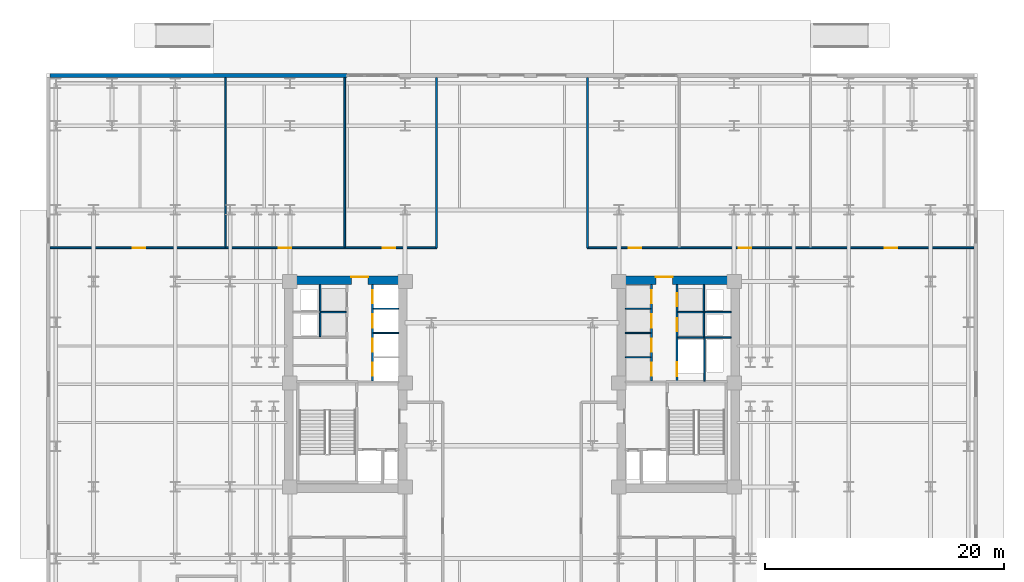
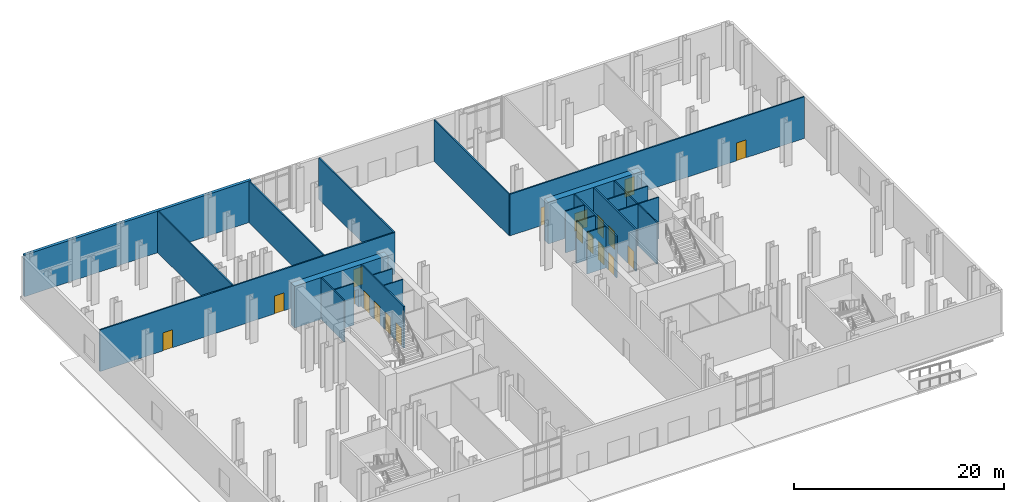
# One storey, part 13 of 21: 24 walls, 19 doors, 19 openings.
"""IFC4 building model written with IfcOpenShell, lengths in metres."""

from ifc_helpers import new_model, si_unit, direction, frame, frame_2d, origin, place, context, subcontext, project, spatial, rectangle, extrude, material, layer, layer_set, type_object, element, fill, save


model = new_model("IFC4")

# Units and contexts
model_context = context("Model", 3, precision=1e-05, world=origin(), true_north=direction((0.0, 1.0)))
body_context = subcontext(model_context, "Body", "Model", "MODEL_VIEW")
ifc_project = project(units=[si_unit("LENGTHUNIT", "METRE"), si_unit("AREAUNIT", "SQUARE_METRE"), si_unit("VOLUMEUNIT", "CUBIC_METRE"), si_unit("PLANEANGLEUNIT", "RADIAN"), si_unit("MASSUNIT", "GRAM", prefix="KILO")], contexts=[model_context])

# Site, building, storey
site_placement = place(None, origin())
site = spatial("IfcSite", under=ifc_project, at=site_placement, CompositionType="ELEMENT")
building_placement = place(site_placement, origin())
building = spatial("IfcBuilding", under=site, at=building_placement, Name="Velakula Bourse", CompositionType="ELEMENT")
storey_placement = place(building_placement, origin())
storey = spatial("IfcBuildingStorey", under=building, at=storey_placement, Name="L00", CompositionType="ELEMENT", Elevation=0.0)

# Wall, opening, door
ifc_material_1 = material(Name="Concrete M70 (fck 70 MPa)", Category="concrete")
ifc_layer_1 = layer(ifc_material_1, 0.699951171875, Name="Concrete M70 (fck 70 MPa)", Category="concrete")
ifc_layer_set_1 = layer_set([ifc_layer_1], Name="Concrete M70 (fck 70 MPa)")
wall_type_1 = type_object("IfcWallType", Name="WL-CORE-700", PredefinedType="SHEAR", material=ifc_layer_set_1)
wall_1_placement = place(storey_placement, frame((-19.050048828125, 8.699951171875, 0.0), z_axis=(0.0, 0.0, 1.0), x_axis=(1.0, 0.0, 0.0)))
wall_1 = element("IfcWall", 1, at=wall_1_placement, inside=storey, type_object=wall_type_1, Name="L00 Core W Shear Wall N", PredefinedType="SHEAR", context=body_context, shape_type="SweptSolid", body=[
    extrude(rectangle(XDim=10.25, YDim=0.699951171875, at=frame_2d((5.125, 0.0))), origin(), (0.0, 0.0, 1.0), 4.85009765625),
])
opening_1_placement = place(wall_1_placement, frame((5.60009765625, 0.0, 0.0)))
opening_1 = element("IfcOpeningElement", 2, at=opening_1_placement, cuts=wall_1, Name="Opening D-LLW", PredefinedType="OPENING", context=body_context, shape_type="SweptSolid", body=[
    extrude(rectangle(XDim=1.39990234375, YDim=2.050048828125, at=frame_2d((0.699951171875, 1.02490234375))), frame((0.0, 0.35986328125, 0.0), z_axis=(0.0, -1.0, 0.0), x_axis=(1.0, 0.0, 0.0)), (0.0, 0.0, 1.0), 0.719970703125),
])
ifc_material_2 = material(Name="Fire-rated hardwood flush architectural door", Category="wood")
door_type_1 = type_object("IfcDoorType", Name="DR-DBL-FD60-1400", OperationType="DOUBLE_DOOR_SINGLE_SWING", PredefinedType="DOOR", material=ifc_material_2)
door_1_placement = place(opening_1_placement, origin())
door_1 = element("IfcDoor", 3, at=door_1_placement, inside=storey, type_object=door_type_1, Name="L00 Core W Lift Lobby Corridor Double Door", OperationType="DOUBLE_DOOR_SINGLE_SWING", OverallHeight=2.050048828125, OverallWidth=1.39990234375, PredefinedType="DOOR", context=body_context, shape_type="SweptSolid", body=[
    extrude(rectangle(XDim=1.39990234375, YDim=2.050048828125, at=frame_2d((0.699951171875, 1.02490234375))), frame((0.0, 0.294921875, 0.0), z_axis=(0.0, -1.0, 0.0), x_axis=(1.0, 0.0, 0.0)), (0.0, 0.0, 1.0), 0.050048828125),
])
fill(opening_1, door_1)

wall_2_placement = place(storey_placement, frame((8.800048828125, 8.699951171875, 0.0), z_axis=(0.0, 0.0, 1.0), x_axis=(1.0, 0.0, 0.0)))
wall_2 = element("IfcWall", 4, at=wall_2_placement, inside=storey, type_object=wall_type_1, Name="L00 Core E Shear Wall N", PredefinedType="SHEAR", context=body_context, shape_type="SweptSolid", body=[
    extrude(rectangle(XDim=10.25, YDim=0.699951171875, at=frame_2d((5.125, 0.0))), origin(), (0.0, 0.0, 1.0), 4.85009765625),
])
opening_2_placement = place(wall_2_placement, frame((3.25, 0.0, 0.0)))
opening_2 = element("IfcOpeningElement", 5, at=opening_2_placement, cuts=wall_2, Name="Opening D-LLE", PredefinedType="OPENING", context=body_context, shape_type="SweptSolid", body=[
    extrude(rectangle(XDim=1.39990234375, YDim=2.050048828125, at=frame_2d((0.699951171875, 1.02490234375))), frame((0.0, 0.35986328125, 0.0), z_axis=(0.0, -1.0, 0.0), x_axis=(1.0, 0.0, 0.0)), (0.0, 0.0, 1.0), 0.719970703125),
])
door_2_placement = place(opening_2_placement, origin())
door_2 = element("IfcDoor", 6, at=door_2_placement, inside=storey, type_object=door_type_1, Name="L00 Core E Lift Lobby Corridor Double Door", OperationType="DOUBLE_DOOR_SINGLE_SWING", OverallHeight=2.050048828125, OverallWidth=1.39990234375, PredefinedType="DOOR", context=body_context, shape_type="SweptSolid", body=[
    extrude(rectangle(XDim=1.39990234375, YDim=2.050048828125, at=frame_2d((0.699951171875, 1.02490234375))), frame((0.0, 0.294921875, 0.0), z_axis=(0.0, -1.0, 0.0), x_axis=(1.0, 0.0, 0.0)), (0.0, 0.0, 1.0), 0.050048828125),
])
fill(opening_2, door_2)

# Walls
ifc_material_3 = material(Name="Red kilned clay facing brick masonry", Category="masonry")
ifc_layer_2 = layer(ifc_material_3, 0.320068359375, Name="Red kilned clay facing brick masonry", Category="masonry")
ifc_layer_set_2 = layer_set([ifc_layer_2], Name="Red kilned clay facing brick masonry")
wall_type_2 = type_object("IfcWallType", Name="WL-EXT-BRK-320", PredefinedType="STANDARD", material=ifc_layer_set_2)
wall_3_placement = place(storey_placement, frame((-38.679931640625, 25.840087890625, 0.0), z_axis=(0.0, 0.0, 1.0), x_axis=(1.0, 0.0, 0.0)))
element("IfcWall", 7, at=wall_3_placement, inside=storey, type_object=wall_type_2, Name="L00 North Brick Facade Wall 1", PredefinedType="STANDARD", context=body_context, shape_type="SweptSolid", body=[
    extrude(rectangle(XDim=24.8798828125, YDim=0.320068359375, at=frame_2d((12.43994140625, 0.0))), origin(), (0.0, 0.0, 1.0), 4.830078125),
])
ifc_material_4 = material(Name="Fire-rated double-layer gypsum drywall partition", Category="gypsum")
ifc_layer_3 = layer(ifc_material_4, 0.1201171875, Name="Fire-rated double-layer gypsum drywall partition", Category="gypsum")
ifc_layer_set_3 = layer_set([ifc_layer_3], Name="Fire-rated double-layer gypsum drywall partition")
wall_type_3 = type_object("IfcWallType", Name="WL-PART-120", PredefinedType="STANDARD", material=ifc_layer_set_3)
for number, where, z_axis, x_axis, name in (
    (8, (-11.60009765625, 4.284912109375, 0.0), (0.0, 0.0, 1.0), (1.0, 0.0, 0.0), "L00 Interior Partition WL-CRW-L00-BDIV-1"),
    (9, (-11.60009765625, 6.31494140625, 0.0), (0.0, 0.0, 1.0), (1.0, 0.0, 0.0), "L00 Interior Partition WL-CRW-L00-BDIV-2"),
):
    element("IfcWall", number, at=place(storey_placement, frame(where, z_axis=z_axis, x_axis=x_axis)), inside=storey, type_object=wall_type_3, Name=name, PredefinedType="STANDARD", context=body_context, shape_type="SweptSolid", body=[
        extrude(rectangle(XDim=2.10009765625, YDim=0.110107421875, at=frame_2d((1.050048828125, 0.0))), origin(), (0.0, 0.0, 1.0), 4.830078125),
    ])
wall_4_placement = place(storey_placement, frame((-16.074951171875, 3.97998046875, 0.0), z_axis=(0.0, 0.0, 1.0), x_axis=(0.0, 1.0, 0.0)))
element("IfcWall", 10, at=wall_4_placement, inside=storey, type_object=wall_type_3, Name="L00 Interior Partition WL-CRW-L00-RIS-F", PredefinedType="STANDARD", context=body_context, shape_type="SweptSolid", body=[
    extrude(rectangle(XDim=4.3701171875, YDim=0.1201171875, at=frame_2d((2.18505859375, 0.0))), origin(), (0.0, 0.0, 1.0), 4.830078125),
])
wall_5_placement = place(storey_placement, frame((-16.0, 6.030029296875, 0.0), z_axis=(0.0, 0.0, 1.0), x_axis=(1.0, 0.0, 0.0)))
element("IfcWall", 11, at=wall_5_placement, inside=storey, type_object=wall_type_3, Name="L00 Interior Partition WL-CRW-L00-HI-DIV", PredefinedType="STANDARD", context=body_context, shape_type="SweptSolid", body=[
    extrude(rectangle(XDim=2.10009765625, YDim=0.1201171875, at=frame_2d((1.050048828125, 0.0))), origin(), (0.0, 0.0, 1.0), 4.830078125),
])
for number, where, z_axis, x_axis, name in (
    (12, (9.5, 2.2548828125, 0.0), (0.0, 0.0, 1.0), (1.0, 0.0, 0.0), "L00 Interior Partition WL-CRE-L00-BDIV-0"),
    (13, (9.5, 4.284912109375, 0.0), (0.0, 0.0, 1.0), (1.0, 0.0, 0.0), "L00 Interior Partition WL-CRE-L00-BDIV-1"),
    (14, (9.5, 6.31494140625, 0.0), (0.0, 0.0, 1.0), (1.0, 0.0, 0.0), "L00 Interior Partition WL-CRE-L00-BDIV-2"),
):
    element("IfcWall", number, at=place(storey_placement, frame(where, z_axis=z_axis, x_axis=x_axis)), inside=storey, type_object=wall_type_3, Name=name, PredefinedType="STANDARD", context=body_context, shape_type="SweptSolid", body=[
        extrude(rectangle(XDim=2.10009765625, YDim=0.110107421875, at=frame_2d((1.050048828125, 0.0))), origin(), (0.0, 0.0, 1.0), 4.830078125),
    ])
wall_6_placement = place(storey_placement, frame((13.89990234375, 3.919921875, 0.0), z_axis=(0.0, 0.0, 1.0), x_axis=(1.0, 0.0, 0.0)))
element("IfcWall", 15, at=wall_6_placement, inside=storey, type_object=wall_type_3, Name="L00 Interior Partition WL-CRE-L00-HI-S", PredefinedType="STANDARD", context=body_context, shape_type="SweptSolid", body=[
    extrude(rectangle(XDim=4.4501953125, YDim=0.1201171875, at=frame_2d((2.22509765625, 0.0))), origin(), (0.0, 0.0, 1.0), 4.830078125),
])
wall_7_placement = place(storey_placement, frame((16.14990234375, 6.030029296875, 0.0), z_axis=(0.0, 0.0, 1.0), x_axis=(1.0, 0.0, 0.0)))
element("IfcWall", 16, at=wall_7_placement, inside=storey, type_object=wall_type_3, Name="L00 Interior Partition WL-CRE-L00-RIS-MID", PredefinedType="STANDARD", context=body_context, shape_type="SweptSolid", body=[
    extrude(rectangle(XDim=2.2001953125, YDim=0.1201171875, at=frame_2d((1.10009765625, 0.0))), origin(), (0.0, 0.0, 1.0), 4.830078125),
])
wall_8_placement = place(storey_placement, frame((16.074951171875, 3.97998046875, 0.0), z_axis=(0.0, 0.0, 1.0), x_axis=(0.0, 1.0, 0.0)))
element("IfcWall", 17, at=wall_8_placement, inside=storey, type_object=wall_type_3, Name="L00 Interior Partition WL-CRE-L00-RIS-F", PredefinedType="STANDARD", context=body_context, shape_type="SweptSolid", body=[
    extrude(rectangle(XDim=4.3701171875, YDim=0.1201171875, at=frame_2d((2.18505859375, 0.0))), origin(), (0.0, 0.0, 1.0), 4.830078125),
])
wall_9_placement = place(storey_placement, frame((13.89990234375, 6.030029296875, 0.0), z_axis=(0.0, 0.0, 1.0), x_axis=(1.0, 0.0, 0.0)))
element("IfcWall", 18, at=wall_9_placement, inside=storey, type_object=wall_type_3, Name="L00 Interior Partition WL-CRE-L00-HI-DIV", PredefinedType="STANDARD", context=body_context, shape_type="SweptSolid", body=[
    extrude(rectangle(XDim=2.10009765625, YDim=0.1201171875, at=frame_2d((1.050048828125, 0.0))), origin(), (0.0, 0.0, 1.0), 4.830078125),
])
wall_10_placement = place(storey_placement, frame((16.125, 0.27001953125, 0.0), z_axis=(0.0, 0.0, 1.0), x_axis=(0.0, 1.0, 0.0)))
element("IfcWall", 19, at=wall_10_placement, inside=storey, type_object=wall_type_3, Name="L00 Interior Partition WL-CRE-L00-SVL-E", PredefinedType="STANDARD", context=body_context, shape_type="SweptSolid", body=[
    extrude(rectangle(XDim=3.590087890625, YDim=0.1201171875, at=frame_2d((1.794921875, 0.0))), origin(), (0.0, 0.0, 1.0), 4.830078125),
])
ifc_layer_4 = layer(ifc_material_4, 0.139892578125, Name="Fire-rated double-layer gypsum drywall partition", Category="gypsum")
ifc_layer_set_4 = layer_set([ifc_layer_4], Name="Fire-rated double-layer gypsum drywall partition")
wall_type_4 = type_object("IfcWallType", Name="WL-PART-140", PredefinedType="STANDARD", material=ifc_layer_set_4)
for number, where, z_axis, x_axis, name in (
    (20, (-6.320068359375, 11.419921875, 0.0), (0.0, 0.0, 1.0), (0.0, 1.0, 0.0), "L00 Interior Partition WL-POD-L00-CONC-NW"),
    (21, (6.320068359375, 11.419921875, 0.0), (0.0, 0.0, 1.0), (0.0, 1.0, 0.0), "L00 Interior Partition WL-POD-L00-CONC-NE"),
):
    element("IfcWall", number, at=place(storey_placement, frame(where, z_axis=z_axis, x_axis=x_axis)), inside=storey, type_object=wall_type_4, Name=name, PredefinedType="STANDARD", context=body_context, shape_type="SweptSolid", body=[
        extrude(rectangle(XDim=14.260009765625, YDim=0.139892578125, at=frame_2d((7.1298828125, 0.0))), origin(), (0.0, 0.0, 1.0), 4.830078125),
    ])

# Wall, openings, doors
wall_11_placement = place(storey_placement, frame((-38.679931640625, 11.419921875, 0.0), z_axis=(0.0, 0.0, 1.0), x_axis=(1.0, 0.0, 0.0)))
wall_11 = element("IfcWall", 22, at=wall_11_placement, inside=storey, type_object=wall_type_4, Name="L00 Interior Partition WL-POD-L00-N-CORR_1", PredefinedType="STANDARD", context=body_context, shape_type="SweptSolid", body=[
    extrude(rectangle(XDim=32.35986328125, YDim=0.14990234375, at=frame_2d((16.179931640625, 0.0))), origin(), (0.0, 0.0, 1.0), 4.830078125),
])
opening_3_placement = place(wall_11_placement, frame((6.93603515625, 0.0, 0.0)))
opening_3 = element("IfcOpeningElement", 23, at=opening_3_placement, cuts=wall_11, Name="Opening D-PD1", PredefinedType="OPENING", context=body_context, shape_type="SweptSolid", body=[
    extrude(rectangle(XDim=1.050048828125, YDim=2.080078125, at=frame_2d((0.52490234375, 1.0400390625))), frame((0.0, 0.0849609375, 0.0), z_axis=(0.0, -1.0, 0.0), x_axis=(1.0, 0.0, 0.0)), (0.0, 0.0, 1.0), 0.169921875),
])
opening_4_placement = place(wall_11_placement, frame((19.155029296875, 0.0, 0.0)))
opening_4 = element("IfcOpeningElement", 24, at=opening_4_placement, cuts=wall_11, Name="Opening D-PD1", PredefinedType="OPENING", context=body_context, shape_type="SweptSolid", body=[
    extrude(rectangle(XDim=1.050048828125, YDim=2.080078125, at=frame_2d((0.52490234375, 1.0400390625))), frame((0.0, 0.0849609375, 0.0), z_axis=(0.0, -1.0, 0.0), x_axis=(1.0, 0.0, 0.0)), (0.0, 0.0, 1.0), 0.169921875),
])
opening_5_placement = place(wall_11_placement, frame((27.8740234375, 0.0, 0.0)))
opening_5 = element("IfcOpeningElement", 25, at=opening_5_placement, cuts=wall_11, Name="Opening D-PD1", PredefinedType="OPENING", context=body_context, shape_type="SweptSolid", body=[
    extrude(rectangle(XDim=1.050048828125, YDim=2.080078125, at=frame_2d((0.52490234375, 1.0400390625))), frame((0.0, 0.0849609375, 0.0), z_axis=(0.0, -1.0, 0.0), x_axis=(1.0, 0.0, 0.0)), (0.0, 0.0, 1.0), 0.169921875),
])
door_type_2 = type_object("IfcDoorType", Name="DR-OFF-1050", OperationType="NOTDEFINED", PredefinedType="DOOR", material=ifc_material_2)
door_3_placement = place(opening_3_placement, origin())
door_3 = element("IfcDoor", 26, at=door_3_placement, inside=storey, type_object=door_type_2, Name="L00 Fire Command Centre Door", OperationType="SINGLE_SWING_LEFT", OverallHeight=2.080078125, OverallWidth=1.050048828125, PredefinedType="DOOR", context=body_context, shape_type="SweptSolid", body=[
    extrude(rectangle(XDim=1.050048828125, YDim=2.080078125, at=frame_2d((0.52490234375, 1.0400390625))), frame((0.0, 0.02490234375, 0.0), z_axis=(0.0, -1.0, 0.0), x_axis=(1.0, 0.0, 0.0)), (0.0, 0.0, 1.0), 0.050048828125),
])
fill(opening_3, door_3)
door_4_placement = place(opening_4_placement, origin())
door_4 = element("IfcDoor", 27, at=door_4_placement, inside=storey, type_object=door_type_2, Name="L00 Exchange Main Entrance Foyer Door", OperationType="SINGLE_SWING_RIGHT", OverallHeight=2.080078125, OverallWidth=1.050048828125, PredefinedType="DOOR", context=body_context, shape_type="SweptSolid", body=[
    extrude(rectangle(XDim=1.050048828125, YDim=2.080078125, at=frame_2d((0.52490234375, 1.0400390625))), frame((0.0, 0.02490234375, 0.0), z_axis=(0.0, -1.0, 0.0), x_axis=(1.0, 0.0, 0.0)), (0.0, 0.0, 1.0), 0.050048828125),
])
fill(opening_4, door_4)
door_5_placement = place(opening_5_placement, origin())
door_5 = element("IfcDoor", 28, at=door_5_placement, inside=storey, type_object=door_type_2, Name="L00 Transit Retail Kiosk Door", OperationType="SINGLE_SWING_LEFT", OverallHeight=2.080078125, OverallWidth=1.050048828125, PredefinedType="DOOR", context=body_context, shape_type="SweptSolid", body=[
    extrude(rectangle(XDim=1.050048828125, YDim=2.080078125, at=frame_2d((0.52490234375, 1.0400390625))), frame((0.0, 0.02490234375, 0.0), z_axis=(0.0, -1.0, 0.0), x_axis=(1.0, 0.0, 0.0)), (0.0, 0.0, 1.0), 0.050048828125),
])
fill(opening_5, door_5)

wall_12_placement = place(storey_placement, frame((6.320068359375, 11.419921875, 0.0), z_axis=(0.0, 0.0, 1.0), x_axis=(1.0, 0.0, 0.0)))
wall_12 = element("IfcWall", 29, at=wall_12_placement, inside=storey, type_object=wall_type_4, Name="L00 Interior Partition WL-POD-L00-N-CORR_2", PredefinedType="STANDARD", context=body_context, shape_type="SweptSolid", body=[
    extrude(rectangle(XDim=32.35986328125, YDim=0.14990234375, at=frame_2d((16.179931640625, 0.0))), origin(), (0.0, 0.0, 1.0), 4.830078125),
])
opening_6_placement = place(wall_12_placement, frame((3.43603515625, 0.0, 0.0)))
opening_6 = element("IfcOpeningElement", 30, at=opening_6_placement, cuts=wall_12, Name="Opening D-PD1", PredefinedType="OPENING", context=body_context, shape_type="SweptSolid", body=[
    extrude(rectangle(XDim=1.050048828125, YDim=2.080078125, at=frame_2d((0.52490234375, 1.0400390625))), frame((0.0, 0.0849609375, 0.0), z_axis=(0.0, -1.0, 0.0), x_axis=(1.0, 0.0, 0.0)), (0.0, 0.0, 1.0), 0.169921875),
])
opening_7_placement = place(wall_12_placement, frame((12.655029296875, 0.0, 0.0)))
opening_7 = element("IfcOpeningElement", 31, at=opening_7_placement, cuts=wall_12, Name="Opening D-PD1", PredefinedType="OPENING", context=body_context, shape_type="SweptSolid", body=[
    extrude(rectangle(XDim=1.050048828125, YDim=2.080078125, at=frame_2d((0.52490234375, 1.0400390625))), frame((0.0, 0.0849609375, 0.0), z_axis=(0.0, -1.0, 0.0), x_axis=(1.0, 0.0, 0.0)), (0.0, 0.0, 1.0), 0.169921875),
])
opening_8_placement = place(wall_12_placement, frame((24.8740234375, 0.0, 0.0)))
opening_8 = element("IfcOpeningElement", 32, at=opening_8_placement, cuts=wall_12, Name="Opening D-PD1", PredefinedType="OPENING", context=body_context, shape_type="SweptSolid", body=[
    extrude(rectangle(XDim=1.050048828125, YDim=2.080078125, at=frame_2d((0.52490234375, 1.0400390625))), frame((0.0, 0.0849609375, 0.0), z_axis=(0.0, -1.0, 0.0), x_axis=(1.0, 0.0, 0.0)), (0.0, 0.0, 1.0), 0.169921875),
])
door_6_placement = place(opening_6_placement, origin())
door_6 = element("IfcDoor", 33, at=door_6_placement, inside=storey, type_object=door_type_2, Name="L00 Commuter Cafe Pantry Door", OperationType="SINGLE_SWING_RIGHT", OverallHeight=2.080078125, OverallWidth=1.050048828125, PredefinedType="DOOR", context=body_context, shape_type="SweptSolid", body=[
    extrude(rectangle(XDim=1.050048828125, YDim=2.080078125, at=frame_2d((0.52490234375, 1.0400390625))), frame((0.0, 0.02490234375, 0.0), z_axis=(0.0, -1.0, 0.0), x_axis=(1.0, 0.0, 0.0)), (0.0, 0.0, 1.0), 0.050048828125),
])
fill(opening_6, door_6)
door_7_placement = place(opening_7_placement, origin())
door_7 = element("IfcDoor", 34, at=door_7_placement, inside=storey, type_object=door_type_2, Name="L00 Fire Command Centre Door", OperationType="SINGLE_SWING_LEFT", OverallHeight=2.080078125, OverallWidth=1.050048828125, PredefinedType="DOOR", context=body_context, shape_type="SweptSolid", body=[
    extrude(rectangle(XDim=1.050048828125, YDim=2.080078125, at=frame_2d((0.52490234375, 1.0400390625))), frame((0.0, 0.02490234375, 0.0), z_axis=(0.0, -1.0, 0.0), x_axis=(1.0, 0.0, 0.0)), (0.0, 0.0, 1.0), 0.050048828125),
])
fill(opening_7, door_7)
door_8_placement = place(opening_8_placement, origin())
door_8 = element("IfcDoor", 35, at=door_8_placement, inside=storey, type_object=door_type_2, Name="L00 Exchange Main Entrance Foyer Door", OperationType="SINGLE_SWING_RIGHT", OverallHeight=2.080078125, OverallWidth=1.050048828125, PredefinedType="DOOR", context=body_context, shape_type="SweptSolid", body=[
    extrude(rectangle(XDim=1.050048828125, YDim=2.080078125, at=frame_2d((0.52490234375, 1.0400390625))), frame((0.0, 0.02490234375, 0.0), z_axis=(0.0, -1.0, 0.0), x_axis=(1.0, 0.0, 0.0)), (0.0, 0.0, 1.0), 0.050048828125),
])
fill(opening_8, door_8)

# Walls
for number, where, z_axis, x_axis, name in (
    (36, (-24.0, 11.489990234375, 0.0), (0.0, 0.0, 1.0), (0.0, 1.0, 0.0), "L00 Interior Partition WL-POD-L00-ND1"),
    (37, (-14.0, 11.489990234375, 0.0), (0.0, 0.0, 1.0), (0.0, 1.0, 0.0), "L00 Interior Partition WL-POD-L00-ND2"),
):
    element("IfcWall", number, at=place(storey_placement, frame(where, z_axis=z_axis, x_axis=x_axis)), inside=storey, type_object=wall_type_4, Name=name, PredefinedType="STANDARD", context=body_context, shape_type="SweptSolid", body=[
        extrude(rectangle(XDim=14.18994140625, YDim=0.139892578125, at=frame_2d((7.094970703125, 0.0))), origin(), (0.0, 0.0, 1.0), 4.830078125),
    ])

# Wall, openings, doors
ifc_material_5 = material(Name="Autoclaved aerated concrete blockwork masonry", Category="masonry")
ifc_layer_5 = layer(ifc_material_5, 0.14990234375, Name="Autoclaved aerated concrete blockwork masonry", Category="masonry")
ifc_layer_set_5 = layer_set([ifc_layer_5], Name="Autoclaved aerated concrete blockwork masonry")
wall_type_5 = type_object("IfcWallType", Name="WL-SHAFT-150", PredefinedType="STANDARD", material=ifc_layer_set_5)
wall_13_placement = place(storey_placement, frame((-11.675048828125, 0.27001953125, 0.0), z_axis=(0.0, 0.0, 1.0), x_axis=(0.0, 1.0, 0.0)))
wall_13 = element("IfcWall", 38, at=wall_13_placement, inside=storey, type_object=wall_type_5, Name="L00 Interior Partition WL-CRW-L00-BANK-F", PredefinedType="STANDARD", context=body_context, shape_type="SweptSolid", body=[
    extrude(rectangle(XDim=8.080078125, YDim=0.14990234375, at=frame_2d((4.0400390625, 0.0))), origin(), (0.0, 0.0, 1.0), 4.830078125),
])
opening_9_placement = place(wall_13_placement, frame((0.419921875, 0.0, 0.0)))
opening_9 = element("IfcOpeningElement", 39, at=opening_9_placement, cuts=wall_13, Name="Opening LD-P1", PredefinedType="OPENING", context=body_context, shape_type="SweptSolid", body=[
    extrude(rectangle(XDim=1.10009765625, YDim=2.10009765625, at=frame_2d((0.550048828125, 1.050048828125))), frame((0.0, 0.0849609375, 0.0), z_axis=(0.0, -1.0, 0.0), x_axis=(1.0, 0.0, 0.0)), (0.0, 0.0, 1.0), 0.169921875),
])
opening_10_placement = place(wall_13_placement, frame((2.449951171875, 0.0, 0.0)))
opening_10 = element("IfcOpeningElement", 40, at=opening_10_placement, cuts=wall_13, Name="Opening LD-P2", PredefinedType="OPENING", context=body_context, shape_type="SweptSolid", body=[
    extrude(rectangle(XDim=1.10009765625, YDim=2.10009765625, at=frame_2d((0.550048828125, 1.050048828125))), frame((0.0, 0.0849609375, 0.0), z_axis=(0.0, -1.0, 0.0), x_axis=(1.0, 0.0, 0.0)), (0.0, 0.0, 1.0), 0.169921875),
])
opening_11_placement = place(wall_13_placement, frame((4.47998046875, 0.0, 0.0)))
opening_11 = element("IfcOpeningElement", 41, at=opening_11_placement, cuts=wall_13, Name="Opening LD-P3", PredefinedType="OPENING", context=body_context, shape_type="SweptSolid", body=[
    extrude(rectangle(XDim=1.10009765625, YDim=2.10009765625, at=frame_2d((0.550048828125, 1.050048828125))), frame((0.0, 0.0849609375, 0.0), z_axis=(0.0, -1.0, 0.0), x_axis=(1.0, 0.0, 0.0)), (0.0, 0.0, 1.0), 0.169921875),
])
opening_12_placement = place(wall_13_placement, frame((6.510009765625, 0.0, 0.0)))
opening_12 = element("IfcOpeningElement", 42, at=opening_12_placement, cuts=wall_13, Name="Opening LD-P4", PredefinedType="OPENING", context=body_context, shape_type="SweptSolid", body=[
    extrude(rectangle(XDim=1.10009765625, YDim=2.10009765625, at=frame_2d((0.550048828125, 1.050048828125))), frame((0.0, 0.0849609375, 0.0), z_axis=(0.0, -1.0, 0.0), x_axis=(1.0, 0.0, 0.0)), (0.0, 0.0, 1.0), 0.169921875),
])
ifc_material_6 = material(Name="Brushed grade 316 stainless steel", Category="steel")
door_type_3 = type_object("IfcDoorType", Name="DR-SLIDE-LD-1100", OperationType="DOUBLE_DOOR_SLIDING", PredefinedType="DOOR", material=ifc_material_6)
door_9_placement = place(opening_9_placement, origin())
door_9 = element("IfcDoor", 43, at=door_9_placement, inside=storey, type_object=door_type_3, Name="L00 Passenger Lift P1 Sliding Landing Door", OperationType="DOUBLE_DOOR_SLIDING", OverallHeight=2.10009765625, OverallWidth=1.10009765625, PredefinedType="DOOR", context=body_context, shape_type="SweptSolid", body=[
    extrude(rectangle(XDim=1.10009765625, YDim=2.10009765625, at=frame_2d((0.550048828125, 1.050048828125))), frame((0.0, 0.02490234375, 0.0), z_axis=(0.0, -1.0, 0.0), x_axis=(1.0, 0.0, 0.0)), (0.0, 0.0, 1.0), 0.050048828125),
])
fill(opening_9, door_9)
door_10_placement = place(opening_10_placement, origin())
door_10 = element("IfcDoor", 44, at=door_10_placement, inside=storey, type_object=door_type_3, Name="L00 Passenger Lift P2 Sliding Landing Door", OperationType="DOUBLE_DOOR_SLIDING", OverallHeight=2.10009765625, OverallWidth=1.10009765625, PredefinedType="DOOR", context=body_context, shape_type="SweptSolid", body=[
    extrude(rectangle(XDim=1.10009765625, YDim=2.10009765625, at=frame_2d((0.550048828125, 1.050048828125))), frame((0.0, 0.02490234375, 0.0), z_axis=(0.0, -1.0, 0.0), x_axis=(1.0, 0.0, 0.0)), (0.0, 0.0, 1.0), 0.050048828125),
])
fill(opening_10, door_10)
door_11_placement = place(opening_11_placement, origin())
door_11 = element("IfcDoor", 45, at=door_11_placement, inside=storey, type_object=door_type_3, Name="L00 Passenger Lift P3 Sliding Landing Door", OperationType="DOUBLE_DOOR_SLIDING", OverallHeight=2.10009765625, OverallWidth=1.10009765625, PredefinedType="DOOR", context=body_context, shape_type="SweptSolid", body=[
    extrude(rectangle(XDim=1.10009765625, YDim=2.10009765625, at=frame_2d((0.550048828125, 1.050048828125))), frame((0.0, 0.02490234375, 0.0), z_axis=(0.0, -1.0, 0.0), x_axis=(1.0, 0.0, 0.0)), (0.0, 0.0, 1.0), 0.050048828125),
])
fill(opening_11, door_11)
door_12_placement = place(opening_12_placement, origin())
door_12 = element("IfcDoor", 46, at=door_12_placement, inside=storey, type_object=door_type_3, Name="L00 Passenger Lift P4 Sliding Landing Door", OperationType="DOUBLE_DOOR_SLIDING", OverallHeight=2.10009765625, OverallWidth=1.10009765625, PredefinedType="DOOR", context=body_context, shape_type="SweptSolid", body=[
    extrude(rectangle(XDim=1.10009765625, YDim=2.10009765625, at=frame_2d((0.550048828125, 1.050048828125))), frame((0.0, 0.02490234375, 0.0), z_axis=(0.0, -1.0, 0.0), x_axis=(1.0, 0.0, 0.0)), (0.0, 0.0, 1.0), 0.050048828125),
])
fill(opening_12, door_12)

wall_14_placement = place(storey_placement, frame((11.675048828125, 0.27001953125, 0.0), z_axis=(0.0, 0.0, 1.0), x_axis=(0.0, 1.0, 0.0)))
wall_14 = element("IfcWall", 47, at=wall_14_placement, inside=storey, type_object=wall_type_5, Name="L00 Interior Partition WL-CRE-L00-BANK-F", PredefinedType="STANDARD", context=body_context, shape_type="SweptSolid", body=[
    extrude(rectangle(XDim=8.080078125, YDim=0.14990234375, at=frame_2d((4.0400390625, 0.0))), origin(), (0.0, 0.0, 1.0), 4.830078125),
])
opening_13_placement = place(wall_14_placement, frame((0.419921875, 0.0, 0.0)))
opening_13 = element("IfcOpeningElement", 48, at=opening_13_placement, cuts=wall_14, Name="Opening LD-P5", PredefinedType="OPENING", context=body_context, shape_type="SweptSolid", body=[
    extrude(rectangle(XDim=1.10009765625, YDim=2.10009765625, at=frame_2d((0.550048828125, 1.050048828125))), frame((0.0, 0.0849609375, 0.0), z_axis=(0.0, -1.0, 0.0), x_axis=(1.0, 0.0, 0.0)), (0.0, 0.0, 1.0), 0.169921875),
])
opening_14_placement = place(wall_14_placement, frame((2.449951171875, 0.0, 0.0)))
opening_14 = element("IfcOpeningElement", 49, at=opening_14_placement, cuts=wall_14, Name="Opening LD-P6", PredefinedType="OPENING", context=body_context, shape_type="SweptSolid", body=[
    extrude(rectangle(XDim=1.10009765625, YDim=2.10009765625, at=frame_2d((0.550048828125, 1.050048828125))), frame((0.0, 0.0849609375, 0.0), z_axis=(0.0, -1.0, 0.0), x_axis=(1.0, 0.0, 0.0)), (0.0, 0.0, 1.0), 0.169921875),
])
opening_15_placement = place(wall_14_placement, frame((4.47998046875, 0.0, 0.0)))
opening_15 = element("IfcOpeningElement", 50, at=opening_15_placement, cuts=wall_14, Name="Opening LD-P7", PredefinedType="OPENING", context=body_context, shape_type="SweptSolid", body=[
    extrude(rectangle(XDim=1.10009765625, YDim=2.10009765625, at=frame_2d((0.550048828125, 1.050048828125))), frame((0.0, 0.0849609375, 0.0), z_axis=(0.0, -1.0, 0.0), x_axis=(1.0, 0.0, 0.0)), (0.0, 0.0, 1.0), 0.169921875),
])
opening_16_placement = place(wall_14_placement, frame((6.510009765625, 0.0, 0.0)))
opening_16 = element("IfcOpeningElement", 51, at=opening_16_placement, cuts=wall_14, Name="Opening LD-P8", PredefinedType="OPENING", context=body_context, shape_type="SweptSolid", body=[
    extrude(rectangle(XDim=1.10009765625, YDim=2.10009765625, at=frame_2d((0.550048828125, 1.050048828125))), frame((0.0, 0.0849609375, 0.0), z_axis=(0.0, -1.0, 0.0), x_axis=(1.0, 0.0, 0.0)), (0.0, 0.0, 1.0), 0.169921875),
])
door_13_placement = place(opening_13_placement, origin())
door_13 = element("IfcDoor", 52, at=door_13_placement, inside=storey, type_object=door_type_3, Name="L00 Passenger Lift P5 Sliding Landing Door", OperationType="DOUBLE_DOOR_SLIDING", OverallHeight=2.10009765625, OverallWidth=1.10009765625, PredefinedType="DOOR", context=body_context, shape_type="SweptSolid", body=[
    extrude(rectangle(XDim=1.10009765625, YDim=2.10009765625, at=frame_2d((0.550048828125, 1.050048828125))), frame((0.0, 0.02490234375, 0.0), z_axis=(0.0, -1.0, 0.0), x_axis=(1.0, 0.0, 0.0)), (0.0, 0.0, 1.0), 0.050048828125),
])
fill(opening_13, door_13)
door_14_placement = place(opening_14_placement, origin())
door_14 = element("IfcDoor", 53, at=door_14_placement, inside=storey, type_object=door_type_3, Name="L00 Passenger Lift P6 Sliding Landing Door", OperationType="DOUBLE_DOOR_SLIDING", OverallHeight=2.10009765625, OverallWidth=1.10009765625, PredefinedType="DOOR", context=body_context, shape_type="SweptSolid", body=[
    extrude(rectangle(XDim=1.10009765625, YDim=2.10009765625, at=frame_2d((0.550048828125, 1.050048828125))), frame((0.0, 0.02490234375, 0.0), z_axis=(0.0, -1.0, 0.0), x_axis=(1.0, 0.0, 0.0)), (0.0, 0.0, 1.0), 0.050048828125),
])
fill(opening_14, door_14)
door_15_placement = place(opening_15_placement, origin())
door_15 = element("IfcDoor", 54, at=door_15_placement, inside=storey, type_object=door_type_3, Name="L00 Passenger Lift P7 Sliding Landing Door", OperationType="DOUBLE_DOOR_SLIDING", OverallHeight=2.10009765625, OverallWidth=1.10009765625, PredefinedType="DOOR", context=body_context, shape_type="SweptSolid", body=[
    extrude(rectangle(XDim=1.10009765625, YDim=2.10009765625, at=frame_2d((0.550048828125, 1.050048828125))), frame((0.0, 0.02490234375, 0.0), z_axis=(0.0, -1.0, 0.0), x_axis=(1.0, 0.0, 0.0)), (0.0, 0.0, 1.0), 0.050048828125),
])
fill(opening_15, door_15)
door_16_placement = place(opening_16_placement, origin())
door_16 = element("IfcDoor", 55, at=door_16_placement, inside=storey, type_object=door_type_3, Name="L00 Passenger Lift P8 Sliding Landing Door", OperationType="DOUBLE_DOOR_SLIDING", OverallHeight=2.10009765625, OverallWidth=1.10009765625, PredefinedType="DOOR", context=body_context, shape_type="SweptSolid", body=[
    extrude(rectangle(XDim=1.10009765625, YDim=2.10009765625, at=frame_2d((0.550048828125, 1.050048828125))), frame((0.0, 0.02490234375, 0.0), z_axis=(0.0, -1.0, 0.0), x_axis=(1.0, 0.0, 0.0)), (0.0, 0.0, 1.0), 0.050048828125),
])
fill(opening_16, door_16)

wall_15_placement = place(storey_placement, frame((13.824951171875, 0.27001953125, 0.0), z_axis=(0.0, 0.0, 1.0), x_axis=(0.0, 1.0, 0.0)))
wall_15 = element("IfcWall", 56, at=wall_15_placement, inside=storey, type_object=wall_type_5, Name="L00 Interior Partition WL-CRE-L00-OUT-F", PredefinedType="STANDARD", context=body_context, shape_type="SweptSolid", body=[
    extrude(rectangle(XDim=8.080078125, YDim=0.14990234375, at=frame_2d((4.0400390625, 0.0))), origin(), (0.0, 0.0, 1.0), 4.830078125),
])
opening_17_placement = place(wall_15_placement, frame((4.175048828125, 0.0, 0.0)))
opening_17 = element("IfcOpeningElement", 57, at=opening_17_placement, cuts=wall_15, Name="Opening LD-P11", PredefinedType="OPENING", context=body_context, shape_type="SweptSolid", body=[
    extrude(rectangle(XDim=1.10009765625, YDim=2.10009765625, at=frame_2d((0.550048828125, 1.050048828125))), frame((0.0, 0.0849609375, 0.0), z_axis=(0.0, -1.0, 0.0), x_axis=(1.0, 0.0, 0.0)), (0.0, 0.0, 1.0), 0.169921875),
])
opening_18_placement = place(wall_15_placement, frame((6.2451171875, 0.0, 0.0)))
opening_18 = element("IfcOpeningElement", 58, at=opening_18_placement, cuts=wall_15, Name="Opening LD-P12", PredefinedType="OPENING", context=body_context, shape_type="SweptSolid", body=[
    extrude(rectangle(XDim=1.10009765625, YDim=2.10009765625, at=frame_2d((0.550048828125, 1.050048828125))), frame((0.0, 0.0849609375, 0.0), z_axis=(0.0, -1.0, 0.0), x_axis=(1.0, 0.0, 0.0)), (0.0, 0.0, 1.0), 0.169921875),
])
opening_19_placement = place(wall_15_placement, frame((0.3798828125, 0.0, 0.0)))
opening_19 = element("IfcOpeningElement", 59, at=opening_19_placement, cuts=wall_15, Name="Opening LD-SVL1", PredefinedType="OPENING", context=body_context, shape_type="SweptSolid", body=[
    extrude(rectangle(XDim=1.199951171875, YDim=2.10009765625, at=frame_2d((0.60009765625, 1.050048828125))), frame((0.0, 0.0849609375, 0.0), z_axis=(0.0, -1.0, 0.0), x_axis=(1.0, 0.0, 0.0)), (0.0, 0.0, 1.0), 0.169921875),
])
door_17_placement = place(opening_17_placement, origin())
door_17 = element("IfcDoor", 60, at=door_17_placement, inside=storey, type_object=door_type_3, Name="L00 Passenger Lift P11 Sliding Landing Door", OperationType="DOUBLE_DOOR_SLIDING", OverallHeight=2.10009765625, OverallWidth=1.10009765625, PredefinedType="DOOR", context=body_context, shape_type="SweptSolid", body=[
    extrude(rectangle(XDim=1.10009765625, YDim=2.10009765625, at=frame_2d((0.550048828125, 1.050048828125))), frame((0.0, 0.02490234375, 0.0), z_axis=(0.0, -1.0, 0.0), x_axis=(1.0, 0.0, 0.0)), (0.0, 0.0, 1.0), 0.050048828125),
])
fill(opening_17, door_17)
door_18_placement = place(opening_18_placement, origin())
door_18 = element("IfcDoor", 61, at=door_18_placement, inside=storey, type_object=door_type_3, Name="L00 Passenger Lift P12 Sliding Landing Door", OperationType="DOUBLE_DOOR_SLIDING", OverallHeight=2.10009765625, OverallWidth=1.10009765625, PredefinedType="DOOR", context=body_context, shape_type="SweptSolid", body=[
    extrude(rectangle(XDim=1.10009765625, YDim=2.10009765625, at=frame_2d((0.550048828125, 1.050048828125))), frame((0.0, 0.02490234375, 0.0), z_axis=(0.0, -1.0, 0.0), x_axis=(1.0, 0.0, 0.0)), (0.0, 0.0, 1.0), 0.050048828125),
])
fill(opening_18, door_18)
door_type_4 = type_object("IfcDoorType", Name="DR-SLIDE-LD-1200", OperationType="DOUBLE_DOOR_SLIDING", PredefinedType="DOOR", material=ifc_material_6)
door_19_placement = place(opening_19_placement, origin())
door_19 = element("IfcDoor", 62, at=door_19_placement, inside=storey, type_object=door_type_4, Name="L00 Service Lift SVL-1 Sliding Landing Door", OperationType="DOUBLE_DOOR_SLIDING", OverallHeight=2.10009765625, OverallWidth=1.199951171875, PredefinedType="DOOR", context=body_context, shape_type="SweptSolid", body=[
    extrude(rectangle(XDim=1.199951171875, YDim=2.10009765625, at=frame_2d((0.60009765625, 1.050048828125))), frame((0.0, 0.02490234375, 0.0), z_axis=(0.0, -1.0, 0.0), x_axis=(1.0, 0.0, 0.0)), (0.0, 0.0, 1.0), 0.050048828125),
])
fill(opening_19, door_19)

save(model, "model.ifc")
